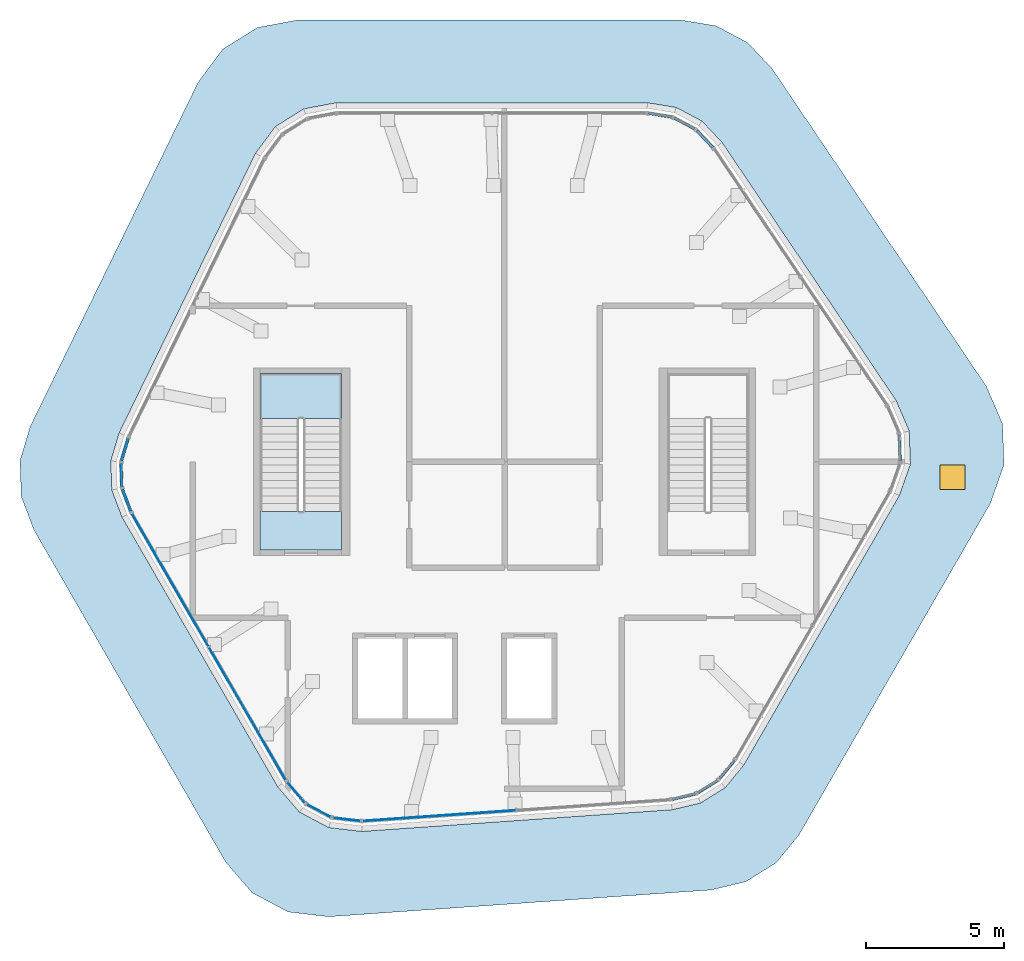
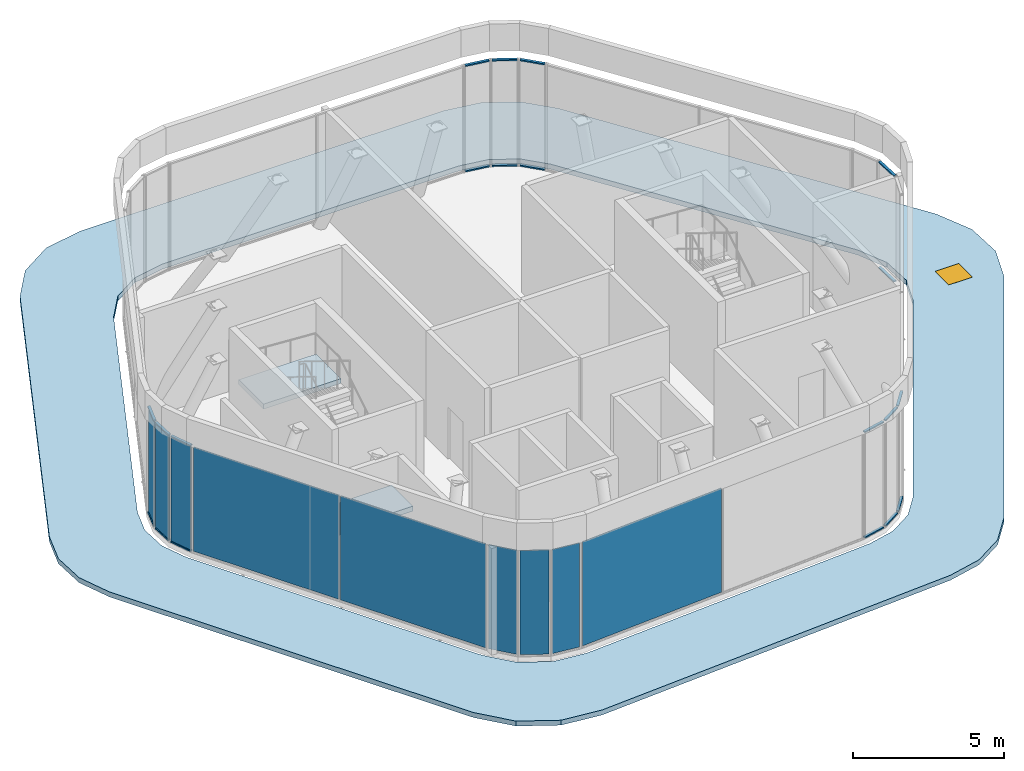
"""IFC4 building model written with IfcOpenShell, lengths in metres."""

from ifc_helpers import new_model, si_unit, direction, frame, origin, origin_2d, place, context, subcontext, project, spatial, polyline, rectangle, outline, extrude, material, layer, layer_set, material_profile, profile_set, type_object, element, fill, aggregate, save


model = new_model("IFC4")

# Units and contexts
model_context = context("Model", 3, precision=1e-05, world=origin(), true_north=direction((0.0, 1.0)))
body_context = subcontext(model_context, "Body", "Model", "MODEL_VIEW")
ifc_project = project(units=[si_unit("LENGTHUNIT", "METRE"), si_unit("AREAUNIT", "SQUARE_METRE"), si_unit("VOLUMEUNIT", "CUBIC_METRE"), si_unit("PLANEANGLEUNIT", "RADIAN"), si_unit("MASSUNIT", "GRAM", prefix="KILO")], contexts=[model_context])

# Site, building, storey
site_placement = place(None, origin())
site = spatial("IfcSite", under=ifc_project, at=site_placement, CompositionType="ELEMENT")
building_placement = place(site_placement, origin())
building = spatial("IfcBuilding", under=site, at=building_placement, Name="Tarnside Tower", CompositionType="ELEMENT")
storey_1_placement = place(building_placement, frame((0.0, 0.0, 401.699951171875)))
storey_1 = spatial("IfcBuildingStorey", under=building, at=storey_1_placement, Name="L95", CompositionType="ELEMENT", Elevation=401.699951171875)

# Curtain wall, members
ifc_material_1 = material(Name="Crown glazing wall", Category="glass")
curtain_wall_type = type_object("IfcCurtainWallType", Name="Crown glazing wall", PredefinedType="NOTDEFINED", material=ifc_material_1)
curtain_wall_1_placement = place(storey_1_placement, origin())
curtain_wall_1 = element("IfcCurtainWall", 1, at=curtain_wall_1_placement, inside=storey_1, type_object=curtain_wall_type, Name="Crown glazing L95 01", PredefinedType="NOTDEFINED")
ifc_material_2 = material(Name="Aluminium alloy 6063", Category="aluminium")
ifc_material_profile = material_profile(ifc_material_2, rectangle(XDim=0.10009765625, YDim=0.050048828125, at=origin_2d()), Name="Crown glazing transom 50 x 100")
ifc_profile_set = profile_set([ifc_material_profile], Name="Aluminium alloy 6063")
member_type = type_object("IfcMemberType", Name="Crown glazing transom 50 x 100", PredefinedType="USERDEFINED", material=ifc_profile_set)
member_1_placement = place(storey_1_placement, frame((5.215576171875, 12.621826171875, 0.025146484375), z_axis=(0.986786354461, -0.16202682077, 0.0), x_axis=(0.16202682077, 0.986786354461, 0.0)))
member_1 = element("IfcMember", 2, at=member_1_placement, type_object=member_type, Name="CW6 transom 1.1", ObjectType="TRANSOM", PredefinedType="USERDEFINED", context=body_context, shape_type="SweptSolid", body=[
    extrude(rectangle(XDim=0.10009765625, YDim=0.050048828125, at=origin_2d()), origin(), (0.0, 0.0, 1.0), 0.851318359375),
])
member_2_placement = place(storey_1_placement, frame((5.215576171875, 12.621826171875, 4.275146484375), z_axis=(0.986786354461, -0.16202682077, 0.0), x_axis=(0.16202682077, 0.986786354461, 0.0)))
member_2 = element("IfcMember", 3, at=member_2_placement, type_object=member_type, Name="CW6 transom 1.2", ObjectType="TRANSOM", PredefinedType="USERDEFINED", context=body_context, shape_type="SweptSolid", body=[
    extrude(rectangle(XDim=0.10009765625, YDim=0.050048828125, at=origin_2d()), origin(), (0.0, 0.0, 1.0), 0.851318359375),
])
aggregate(curtain_wall_1, [member_1, member_2])

curtain_wall_2_placement = place(storey_1_placement, origin())
curtain_wall_2 = element("IfcCurtainWall", 4, at=curtain_wall_2_placement, inside=storey_1, type_object=curtain_wall_type, Name="Crown glazing L95 02", PredefinedType="NOTDEFINED")
member_3_placement = place(storey_1_placement, frame((6.149169921875, 12.4521484375, 0.025146484375), z_axis=(0.882952514635, -0.469462306155, 0.0), x_axis=(0.469462306155, 0.882952514635, 0.0)))
member_3 = element("IfcMember", 5, at=member_3_placement, type_object=member_type, Name="CW6 transom 1.1", ObjectType="TRANSOM", PredefinedType="USERDEFINED", context=body_context, shape_type="SweptSolid", body=[
    extrude(rectangle(XDim=0.10009765625, YDim=0.050048828125, at=origin_2d()), origin(), (0.0, 0.0, 1.0), 0.8330078125),
])
member_4_placement = place(storey_1_placement, frame((6.149169921875, 12.4521484375, 4.275146484375), z_axis=(0.882952514635, -0.469462306155, 0.0), x_axis=(0.469462306155, 0.882952514635, 0.0)))
member_4 = element("IfcMember", 6, at=member_4_placement, type_object=member_type, Name="CW6 transom 1.2", ObjectType="TRANSOM", PredefinedType="USERDEFINED", context=body_context, shape_type="SweptSolid", body=[
    extrude(rectangle(XDim=0.10009765625, YDim=0.050048828125, at=origin_2d()), origin(), (0.0, 0.0, 1.0), 0.8330078125),
])
aggregate(curtain_wall_2, [member_3, member_4])

curtain_wall_3_placement = place(storey_1_placement, origin())
curtain_wall_3 = element("IfcCurtainWall", 7, at=curtain_wall_3_placement, inside=storey_1, type_object=curtain_wall_type, Name="Crown glazing L95 03", PredefinedType="NOTDEFINED")
member_5_placement = place(storey_1_placement, frame((6.96337890625, 12.001220703125, 0.025146484375), z_axis=(0.686160311977, -0.727450360002, 0.0), x_axis=(0.727450360002, 0.686160311977, 0.0)))
member_5 = element("IfcMember", 8, at=member_5_placement, type_object=member_type, Name="CW6 transom 1.1", ObjectType="TRANSOM", PredefinedType="USERDEFINED", context=body_context, shape_type="SweptSolid", body=[
    extrude(rectangle(XDim=0.10009765625, YDim=0.050048828125, at=origin_2d()), origin(), (0.0, 0.0, 1.0), 0.8515625),
])
member_6_placement = place(storey_1_placement, frame((6.96337890625, 12.001220703125, 4.275146484375), z_axis=(0.686160311977, -0.727450360002, 0.0), x_axis=(0.727450360002, 0.686160311977, 0.0)))
member_6 = element("IfcMember", 9, at=member_6_placement, type_object=member_type, Name="CW6 transom 1.2", ObjectType="TRANSOM", PredefinedType="USERDEFINED", context=body_context, shape_type="SweptSolid", body=[
    extrude(rectangle(XDim=0.10009765625, YDim=0.050048828125, at=origin_2d()), origin(), (0.0, 0.0, 1.0), 0.8515625),
])
aggregate(curtain_wall_3, [member_5, member_6])

curtain_wall_4_placement = place(storey_1_placement, origin())
curtain_wall_4 = element("IfcCurtainWall", 10, at=curtain_wall_4_placement, inside=storey_1, type_object=curtain_wall_type, Name="Crown glazing L95 06", PredefinedType="NOTDEFINED")
member_7_placement = place(storey_1_placement, frame((14.2978515625, 0.98193359375, 0.025146484375), z_axis=(0.034924237746, -0.999389962736, 0.0), x_axis=(0.999389962736, 0.034924237746, 0.0)))
member_7 = element("IfcMember", 11, at=member_7_placement, type_object=member_type, Name="CW6 transom 1.1", ObjectType="TRANSOM", PredefinedType="USERDEFINED", context=body_context, shape_type="SweptSolid", body=[
    extrude(rectangle(XDim=0.10009765625, YDim=0.050048828125, at=origin_2d()), origin(), (0.0, 0.0, 1.0), 0.964599609375),
])
member_8_placement = place(storey_1_placement, frame((14.2978515625, 0.98193359375, 4.275146484375), z_axis=(0.034924237746, -0.999389962736, 0.0), x_axis=(0.999389962736, 0.034924237746, 0.0)))
member_8 = element("IfcMember", 12, at=member_8_placement, type_object=member_type, Name="CW6 transom 1.2", ObjectType="TRANSOM", PredefinedType="USERDEFINED", context=body_context, shape_type="SweptSolid", body=[
    extrude(rectangle(XDim=0.10009765625, YDim=0.050048828125, at=origin_2d()), origin(), (0.0, 0.0, 1.0), 0.964599609375),
])
aggregate(curtain_wall_4, [member_7, member_8])

curtain_wall_5_placement = place(storey_1_placement, origin())
curtain_wall_5 = element("IfcCurtainWall", 13, at=curtain_wall_5_placement, inside=storey_1, type_object=curtain_wall_type, Name="Crown glazing L95 09", PredefinedType="NOTDEFINED")
member_9_placement = place(storey_1_placement, frame((8.322998046875, -10.82763671875, 0.025146484375), z_axis=(-0.633674882596, -0.773599472057, 0.0), x_axis=(0.773599472057, -0.633674882596, 0.0)))
member_9 = element("IfcMember", 14, at=member_9_placement, type_object=member_type, Name="CW6 transom 1.1", ObjectType="TRANSOM", PredefinedType="USERDEFINED", context=body_context, shape_type="SweptSolid", body=[
    extrude(rectangle(XDim=0.10009765625, YDim=0.050048828125, at=origin_2d()), origin(), (0.0, 0.0, 1.0), 0.8515625),
])
member_10_placement = place(storey_1_placement, frame((8.322998046875, -10.82763671875, 4.275146484375), z_axis=(-0.633674882596, -0.773599472057, 0.0), x_axis=(0.773599472057, -0.633674882596, 0.0)))
member_10 = element("IfcMember", 15, at=member_10_placement, type_object=member_type, Name="CW6 transom 1.2", ObjectType="TRANSOM", PredefinedType="USERDEFINED", context=body_context, shape_type="SweptSolid", body=[
    extrude(rectangle(XDim=0.10009765625, YDim=0.050048828125, at=origin_2d()), origin(), (0.0, 0.0, 1.0), 0.8515625),
])
aggregate(curtain_wall_5, [member_9, member_10])

curtain_wall_6_placement = place(storey_1_placement, origin())
curtain_wall_6 = element("IfcCurtainWall", 16, at=curtain_wall_6_placement, inside=storey_1, type_object=curtain_wall_type, Name="Crown glazing L95 10", PredefinedType="NOTDEFINED")
member_11_placement = place(storey_1_placement, frame((7.70947265625, -11.551513671875, 0.025146484375), z_axis=(-0.848179310052, -0.529709220233, 0.0), x_axis=(0.529709220233, -0.848179310052, 0.0)))
member_11 = element("IfcMember", 17, at=member_11_placement, type_object=member_type, Name="CW6 transom 1.1", ObjectType="TRANSOM", PredefinedType="USERDEFINED", context=body_context, shape_type="SweptSolid", body=[
    extrude(rectangle(XDim=0.10009765625, YDim=0.050048828125, at=origin_2d()), origin(), (0.0, 0.0, 1.0), 0.833251953125),
])
member_12_placement = place(storey_1_placement, frame((7.70947265625, -11.551513671875, 4.275146484375), z_axis=(-0.848179310052, -0.529709220233, 0.0), x_axis=(0.529709220233, -0.848179310052, 0.0)))
member_12 = element("IfcMember", 18, at=member_12_placement, type_object=member_type, Name="CW6 transom 1.2", ObjectType="TRANSOM", PredefinedType="USERDEFINED", context=body_context, shape_type="SweptSolid", body=[
    extrude(rectangle(XDim=0.10009765625, YDim=0.050048828125, at=origin_2d()), origin(), (0.0, 0.0, 1.0), 0.833251953125),
])
aggregate(curtain_wall_6, [member_11, member_12])

curtain_wall_7_placement = place(storey_1_placement, origin())
curtain_wall_7 = element("IfcCurtainWall", 19, at=curtain_wall_7_placement, inside=storey_1, type_object=curtain_wall_type, Name="Crown glazing L95 11", PredefinedType="NOTDEFINED")
member_13_placement = place(storey_1_placement, frame((6.91162109375, -12.031005859375, 0.025146484375), z_axis=(-0.973054894234, -0.230573573523, 0.0), x_axis=(0.230573573523, -0.973054894234, 0.0)))
member_13 = element("IfcMember", 20, at=member_13_placement, type_object=member_type, Name="CW6 transom 1.1", ObjectType="TRANSOM", PredefinedType="USERDEFINED", context=body_context, shape_type="SweptSolid", body=[
    extrude(rectangle(XDim=0.10009765625, YDim=0.050048828125, at=origin_2d()), origin(), (0.0, 0.0, 1.0), 0.851318359375),
])
member_14_placement = place(storey_1_placement, frame((6.91162109375, -12.031005859375, 4.275146484375), z_axis=(-0.973054894234, -0.230573573523, 0.0), x_axis=(0.230573573523, -0.973054894234, 0.0)))
member_14 = element("IfcMember", 21, at=member_14_placement, type_object=member_type, Name="CW6 transom 1.2", ObjectType="TRANSOM", PredefinedType="USERDEFINED", context=body_context, shape_type="SweptSolid", body=[
    extrude(rectangle(XDim=0.10009765625, YDim=0.050048828125, at=origin_2d()), origin(), (0.0, 0.0, 1.0), 0.851318359375),
])
aggregate(curtain_wall_7, [member_13, member_14])

curtain_wall_8_placement = place(storey_1_placement, origin())
curtain_wall_8 = element("IfcCurtainWall", 22, at=curtain_wall_8_placement, inside=storey_1, type_object=curtain_wall_type, Name="Crown glazing L95 17", PredefinedType="NOTDEFINED")
member_15_placement = place(storey_1_placement, frame((-13.53857421875, -1.794189453125, 0.025146484375), z_axis=(-0.352976742372, 0.935632096149, 0.0), x_axis=(-0.935632096149, -0.352976742372, 0.0)))
member_15 = element("IfcMember", 23, at=member_15_placement, type_object=member_type, Name="CW6 transom 1.1", ObjectType="TRANSOM", PredefinedType="USERDEFINED", context=body_context, shape_type="SweptSolid", body=[
    extrude(rectangle(XDim=0.10009765625, YDim=0.050048828125, at=origin_2d()), origin(), (0.0, 0.0, 1.0), 0.851318359375),
])
member_16_placement = place(storey_1_placement, frame((-13.53857421875, -1.794189453125, 4.275146484375), z_axis=(-0.352976742372, 0.935632096149, 0.0), x_axis=(-0.935632096149, -0.352976742372, 0.0)))
member_16 = element("IfcMember", 24, at=member_16_placement, type_object=member_type, Name="CW6 transom 1.2", ObjectType="TRANSOM", PredefinedType="USERDEFINED", context=body_context, shape_type="SweptSolid", body=[
    extrude(rectangle(XDim=0.10009765625, YDim=0.050048828125, at=origin_2d()), origin(), (0.0, 0.0, 1.0), 0.851318359375),
])

curtain_wall_9_placement = place(storey_1_placement, origin())
curtain_wall_9 = element("IfcCurtainWall", 25, at=curtain_wall_9_placement, inside=storey_1, type_object=curtain_wall_type, Name="Crown glazing L95 18", PredefinedType="NOTDEFINED")
member_17_placement = place(storey_1_placement, frame((-13.858642578125, -0.90087890625, 0.025146484375), z_axis=(-0.034865918465, 0.999391999032, 0.0), x_axis=(-0.999391999032, -0.034865918465, 0.0)))
member_17 = element("IfcMember", 26, at=member_17_placement, type_object=member_type, Name="CW6 transom 1.1", ObjectType="TRANSOM", PredefinedType="USERDEFINED", context=body_context, shape_type="SweptSolid", body=[
    extrude(rectangle(XDim=0.10009765625, YDim=0.050048828125, at=origin_2d()), origin(), (0.0, 0.0, 1.0), 0.833251953125),
])
member_18_placement = place(storey_1_placement, frame((-13.858642578125, -0.90087890625, 4.275146484375), z_axis=(-0.034865918465, 0.999391999032, 0.0), x_axis=(-0.999391999032, -0.034865918465, 0.0)))
member_18 = element("IfcMember", 27, at=member_18_placement, type_object=member_type, Name="CW6 transom 1.2", ObjectType="TRANSOM", PredefinedType="USERDEFINED", context=body_context, shape_type="SweptSolid", body=[
    extrude(rectangle(XDim=0.10009765625, YDim=0.050048828125, at=origin_2d()), origin(), (0.0, 0.0, 1.0), 0.833251953125),
])

curtain_wall_10_placement = place(storey_1_placement, origin())
curtain_wall_10 = element("IfcCurtainWall", 28, at=curtain_wall_10_placement, inside=storey_1, type_object=curtain_wall_type, Name="Crown glazing L95 19", PredefinedType="NOTDEFINED")
member_19_placement = place(storey_1_placement, frame((-13.875, 0.02978515625, 0.025146484375), z_axis=(0.286742774674, 0.958007610185, 0.0), x_axis=(-0.958007610185, 0.286742774674, 0.0)))
member_19 = element("IfcMember", 29, at=member_19_placement, type_object=member_type, Name="CW6 transom 1.1", ObjectType="TRANSOM", PredefinedType="USERDEFINED", context=body_context, shape_type="SweptSolid", body=[
    extrude(rectangle(XDim=0.10009765625, YDim=0.050048828125, at=origin_2d()), origin(), (0.0, 0.0, 1.0), 0.851318359375),
])
member_20_placement = place(storey_1_placement, frame((-13.875, 0.02978515625, 4.275146484375), z_axis=(0.286742774674, 0.958007610185, 0.0), x_axis=(-0.958007610185, 0.286742774674, 0.0)))
member_20 = element("IfcMember", 30, at=member_20_placement, type_object=member_type, Name="CW6 transom 1.2", ObjectType="TRANSOM", PredefinedType="USERDEFINED", context=body_context, shape_type="SweptSolid", body=[
    extrude(rectangle(XDim=0.10009765625, YDim=0.050048828125, at=origin_2d()), origin(), (0.0, 0.0, 1.0), 0.851318359375),
])

# Slab
ifc_material_3 = material(Name="Concrete C40/50", Category="concrete")
ifc_layer_1 = layer(ifc_material_3, 0.199951171875)
ifc_layer_set_1 = layer_set([ifc_layer_1], Name="Core crown slab C40/50")
slab_type_1 = type_object("IfcSlabType", Name="Core crown slab C40/50", PredefinedType="FLOOR", material=ifc_layer_set_1)
slab_1_placement = place(storey_1_placement, frame((0.0, 0.0, -0.199951171875)))
element("IfcSlab", 31, at=slab_1_placement, inside=storey_1, type_object=slab_type_1, Name="L95 core floor slab 2", PredefinedType="FLOOR", context=body_context, shape_type="SweptSolid", body=[
    extrude(outline(polyline([(-5.89990234375, -3.199951171875), (-8.85009765625, -3.199951171875), (-8.85009765625, -1.800048828125), (-5.89990234375, -1.800048828125), (-5.89990234375, -3.199951171875)])), origin(), (0.0, 0.0, 1.0), 0.199951171875),
])

# Curtain wall, plate
curtain_wall_11_placement = place(storey_1_placement, origin())
curtain_wall_11 = element("IfcCurtainWall", 32, at=curtain_wall_11_placement, inside=storey_1, type_object=curtain_wall_type, Name="Crown glazing L95 13", PredefinedType="NOTDEFINED")
ifc_material_4 = material(Name="Low-iron safety glass", Category="glass")
ifc_layer_2 = layer(ifc_material_4, 0.028076171875)
ifc_layer_set_2 = layer_set([ifc_layer_2], Name="Crown glazing panel 28")
plate_type_1 = type_object("IfcPlateType", Name="Crown glazing panel 28", PredefinedType="CURTAIN_PANEL", material=ifc_layer_set_2)
plate_1_placement = place(storey_1_placement, frame((-5.71533203125, -12.959716796875, 0.05029296875), z_axis=(0.0, 0.0, 1.0), x_axis=(-0.993238357786, 0.11609291375, 0.0)))
plate_1 = element("IfcPlate", 33, at=plate_1_placement, type_object=plate_type_1, Name="CW6 panel 1.1", PredefinedType="CURTAIN_PANEL", context=body_context, shape_type="SweptSolid", body=[
    extrude(rectangle(XDim=0.985595703125, YDim=0.028076171875, at=origin_2d()), origin(), (0.0, 0.0, 1.0), 4.199951171875),
])
aggregate(curtain_wall_11, [plate_1])

curtain_wall_12_placement = place(storey_1_placement, origin())
curtain_wall_12 = element("IfcCurtainWall", 34, at=curtain_wall_12_placement, inside=storey_1, type_object=curtain_wall_type, Name="Crown glazing L95 14", PredefinedType="NOTDEFINED")
plate_2_placement = place(storey_1_placement, frame((-6.724365234375, -12.646728515625, 0.05029296875), z_axis=(0.0, 0.0, 1.0), x_axis=(-0.882947592998, 0.469471562524, 0.0)))
plate_2 = element("IfcPlate", 35, at=plate_2_placement, type_object=plate_type_1, Name="CW6 panel 1.1", PredefinedType="CURTAIN_PANEL", context=body_context, shape_type="SweptSolid", body=[
    extrude(rectangle(XDim=0.964599609375, YDim=0.028076171875, at=origin_2d()), origin(), (0.0, 0.0, 1.0), 4.199951171875),
])
aggregate(curtain_wall_12, [plate_2])

curtain_wall_13_placement = place(storey_1_placement, origin())
curtain_wall_13 = element("IfcCurtainWall", 36, at=curtain_wall_13_placement, inside=storey_1, type_object=curtain_wall_type, Name="Crown glazing L95 15", PredefinedType="NOTDEFINED")
plate_3_placement = place(storey_1_placement, frame((-7.548095703125, -11.985107421875, 0.05029296875), z_axis=(0.0, 0.0, 1.0), x_axis=(-0.651657228482, 0.758513583641, 0.0)))
plate_3 = element("IfcPlate", 37, at=plate_3_placement, type_object=plate_type_1, Name="CW6 panel 1.1", PredefinedType="CURTAIN_PANEL", context=body_context, shape_type="SweptSolid", body=[
    extrude(rectangle(XDim=0.985595703125, YDim=0.028076171875, at=origin_2d()), origin(), (0.0, 0.0, 1.0), 4.199951171875),
])
aggregate(curtain_wall_13, [plate_3])

# Plate
plate_4_placement = place(storey_1_placement, frame((-13.68896484375, -1.395751953125, 0.05029296875), z_axis=(0.0, 0.0, 1.0), x_axis=(-0.352930564785, 0.935649515813, 0.0)))
plate_4 = element("IfcPlate", 38, at=plate_4_placement, type_object=plate_type_1, Name="CW6 panel 1.1", PredefinedType="CURTAIN_PANEL", context=body_context, shape_type="SweptSolid", body=[
    extrude(rectangle(XDim=0.851318359375, YDim=0.028076171875, at=origin_2d()), origin(), (0.0, 0.0, 1.0), 4.199951171875),
])

aggregate(curtain_wall_8, [member_15, member_16, plate_4])

plate_5_placement = place(storey_1_placement, frame((-13.873046875, -0.484375, 0.05029296875), z_axis=(0.0, 0.0, 1.0), x_axis=(-0.034899495935, 0.999390827046, 0.0)))
plate_5 = element("IfcPlate", 39, at=plate_5_placement, type_object=plate_type_1, Name="CW6 panel 1.1", PredefinedType="CURTAIN_PANEL", context=body_context, shape_type="SweptSolid", body=[
    extrude(rectangle(XDim=0.833251953125, YDim=0.028076171875, at=origin_2d()), origin(), (0.0, 0.0, 1.0), 4.199951171875),
])

aggregate(curtain_wall_9, [member_17, member_18, plate_5])

plate_6_placement = place(storey_1_placement, frame((-13.7529296875, 0.4375, 0.05029296875), z_axis=(0.0, 0.0, 1.0), x_axis=(0.286803232817, 0.957989512284, 0.0)))
plate_6 = element("IfcPlate", 40, at=plate_6_placement, type_object=plate_type_1, Name="CW6 panel 1.1", PredefinedType="CURTAIN_PANEL", context=body_context, shape_type="SweptSolid", body=[
    extrude(rectangle(XDim=0.851318359375, YDim=0.028076171875, at=origin_2d()), origin(), (0.0, 0.0, 1.0), 4.199951171875),
])

aggregate(curtain_wall_10, [member_19, member_20, plate_6])

# Curtain wall, plate
curtain_wall_14_placement = place(storey_1_placement, origin())
curtain_wall_14 = element("IfcCurtainWall", 41, at=curtain_wall_14_placement, inside=storey_1, type_object=curtain_wall_type, Name="Crown glazing L95 12", PredefinedType="NOTDEFINED")
ifc_material_5 = material(Name="Insulated aluminium panel", Category="aluminium")
ifc_layer_3 = layer(ifc_material_5, 0.028076171875)
ifc_layer_set_3 = layer_set([ifc_layer_3], Name="Crown glazing spandrel panel 28")
plate_type_2 = type_object("IfcPlateType", Name="Crown glazing spandrel panel 28", PredefinedType="CURTAIN_PANEL", material=ifc_layer_set_3)
plate_7_placement = place(storey_1_placement, frame((-2.36083984375, -12.825927734375, 0.05029296875), z_axis=(0.0, 0.0, 1.0), x_axis=(-0.997564050261, -0.069756473727, 0.0)))
plate_7 = element("IfcPlate", 42, at=plate_7_placement, type_object=plate_type_2, Name="CW6 panel 2.1", PredefinedType="CURTAIN_PANEL", context=body_context, shape_type="SweptSolid", body=[
    extrude(rectangle(XDim=5.544189453125, YDim=0.028076171875, at=origin_2d()), origin(), (0.0, 0.0, 1.0), 4.199951171875),
])
aggregate(curtain_wall_14, [plate_7])

# Curtain wall, plates
curtain_wall_15_placement = place(storey_1_placement, origin())
curtain_wall_15 = element("IfcCurtainWall", 43, at=curtain_wall_15_placement, inside=storey_1, type_object=curtain_wall_type, Name="Crown glazing L95 16", PredefinedType="NOTDEFINED")
plate_8_placement = place(storey_1_placement, frame((-9.31298828125, -9.12939453125, 0.05029296875), z_axis=(0.0, 0.0, 1.0), x_axis=(-0.500000000045, 0.866025403758, 0.0)))
plate_8 = element("IfcPlate", 44, at=plate_8_placement, type_object=plate_type_2, Name="CW6 panel 1.1", PredefinedType="CURTAIN_PANEL", context=body_context, shape_type="SweptSolid", body=[
    extrude(rectangle(XDim=5.544189453125, YDim=0.028076171875, at=origin_2d()), origin(), (0.0, 0.0, 1.0), 4.199951171875),
])
plate_9_placement = place(storey_1_placement, frame((-12.110107421875, -4.284912109375, 0.05029296875), z_axis=(0.0, 0.0, 1.0), x_axis=(-0.500000000045, 0.866025403758, 0.0)))
plate_9 = element("IfcPlate", 45, at=plate_9_placement, type_object=plate_type_2, Name="CW6 panel 2.1", PredefinedType="CURTAIN_PANEL", context=body_context, shape_type="SweptSolid", body=[
    extrude(rectangle(XDim=5.544189453125, YDim=0.028076171875, at=origin_2d()), origin(), (0.0, 0.0, 1.0), 4.199951171875),
])
aggregate(curtain_wall_15, [plate_8, plate_9])

# Slab, opening
ifc_material_6 = material(Name="Concrete C35/45", Category="concrete")
ifc_layer_4 = layer(ifc_material_6, 0.199951171875)
ifc_layer_set_4 = layer_set([ifc_layer_4], Name="Setback roof slab 200")
slab_type_2 = type_object("IfcSlabType", Name="Setback roof slab 200", PredefinedType="ROOF", material=ifc_layer_set_4)
slab_2_placement = place(storey_1_placement, frame((0.0, 0.0, -0.199951171875)))
slab_2 = element("IfcSlab", 46, at=slab_2_placement, inside=storey_1, type_object=slab_type_2, Name="Setback roof L94", PredefinedType="ROOF", context=body_context, shape_type="SweptSolid", body=[
    extrude(outline(polyline([(7.66064453125, 15.78955078125), (8.806396484375, 15.180419921875), (9.69677734375, 14.23681640625), (17.457763671875, 2.730712890625), (18.044189453125, 1.370849609375), (18.095947265625, -0.10888671875), (17.605712890625, -1.506103515625), (10.666259765625, -13.525634765625), (9.84375, -14.529296875), (8.743408203125, -15.216796875), (7.48095703125, -15.515869140625), (-6.364013671875, -16.484130859375), (-7.834716796875, -16.312255859375), (-9.142333984375, -15.616943359375), (-10.107177734375, -14.493896484375), (-17.046630859375, -2.474365234375), (-17.504638671875, -1.260498046875), (-17.5498046875, 0.0361328125), (-17.177734375, 1.279052734375), (-11.093505859375, 13.75341796875), (-10.20947265625, 14.941162109375), (-8.95361328125, 15.725830078125), (-7.49853515625, 16.0), (6.380615234375, 16.0), (7.66064453125, 15.78955078125)]), holes=[polyline([(5.18408203125, 13.0), (-6.092529296875, 13.0), (-7.27490234375, 12.77734375), (-8.295166015625, 12.1396484375), (-9.013671875, 11.1748046875), (-13.95703125, 1.039306640625), (-14.25927734375, 0.029541015625), (-14.222412109375, -1.024169921875), (-13.850341796875, -2.010498046875), (-8.212158203125, -11.776123046875), (-7.427978515625, -12.688720703125), (-6.36572265625, -13.253662109375), (-5.1708984375, -13.393310546875), (6.078369140625, -12.606689453125), (7.10400390625, -12.363525390625), (7.998046875, -11.804931640625), (8.666259765625, -10.989501953125), (14.3046875, -1.223876953125), (14.702880859375, -0.08837890625), (14.660888671875, 1.114013671875), (14.184326171875, 2.218505859375), (7.87841796875, 11.5673828125), (7.155029296875, 12.334228515625), (6.224365234375, 12.8291015625), (5.18408203125, 13.0)])]), origin(), (0.0, 0.0, 1.0), 0.199951171875),
])
opening_placement = place(slab_2_placement, frame((16.2353515625, -0.56640625, 0.0)))
opening = element("IfcOpeningElement", 47, at=opening_placement, cuts=slab_2, Name="Opening RH", PredefinedType="OPENING", context=body_context, shape_type="SweptSolid", body=[
    extrude(rectangle(XDim=0.89990234375, YDim=0.89990234375, at=origin_2d()), origin(), (0.0, 0.0, 1.0), 0.199951171875),
])

# Storey
storey_2_placement = place(building_placement, frame((0.0, 0.0, 397.199951171875)))
storey_2 = spatial("IfcBuildingStorey", under=building, at=storey_2_placement, Name="L94", CompositionType="ELEMENT", Elevation=397.199951171875)

# Door
door_type = type_object("IfcDoorType", Name="Roof access hatch 900 x 900", OperationType="NOTDEFINED", PredefinedType="TRAPDOOR", material=ifc_material_2)
door_placement = place(opening_placement, frame((0.0, 0.0, 0.14990234375)))
door = element("IfcDoor", 48, at=door_placement, inside=storey_2, type_object=door_type, Name="Roof access hatch", OperationType="SINGLE_SWING_LEFT", OverallHeight=0.89990234375, OverallWidth=0.89990234375, PredefinedType="TRAPDOOR", context=body_context, shape_type="SweptSolid", body=[
    extrude(rectangle(XDim=0.89990234375, YDim=0.89990234375, at=origin_2d()), origin(), (0.0, 0.0, 1.0), 0.050048828125),
])

fill(opening, door)

# Stair, slab
stair_type = type_object("IfcStairType", Name="Exit stair 1400 clear", PredefinedType="HALF_TURN_STAIR", material=ifc_material_3)
stair_placement = place(storey_1_placement, origin())
stair = element("IfcStair", 49, at=stair_placement, inside=storey_1, type_object=stair_type, Name="L95 Exit stair 2", PredefinedType="HALF_TURN_STAIR")
ifc_layer_5 = layer(ifc_material_3, 0.199951171875)
ifc_layer_set_5 = layer_set([ifc_layer_5], Name="Stair landing 200 C40/50")
slab_type_3 = type_object("IfcSlabType", Name="Stair landing 200 C40/50", PredefinedType="LANDING", material=ifc_layer_set_5)
slab_3_placement = place(storey_1_placement, frame((0.0, 0.0, 2.050048828125)))
slab_3 = element("IfcSlab", 50, at=slab_3_placement, type_object=slab_type_3, Name="ST2 landing 1", PredefinedType="LANDING", context=body_context, shape_type="SweptSolid", body=[
    extrude(outline(polyline([(-5.89990234375, 1.56005859375), (-5.89990234375, 3.199951171875), (-8.85009765625, 3.199951171875), (-8.85009765625, 1.56005859375), (-5.89990234375, 1.56005859375)])), origin(), (0.0, 0.0, 1.0), 0.199951171875),
])
aggregate(stair, [slab_3])

save(model, "model.ifc")
